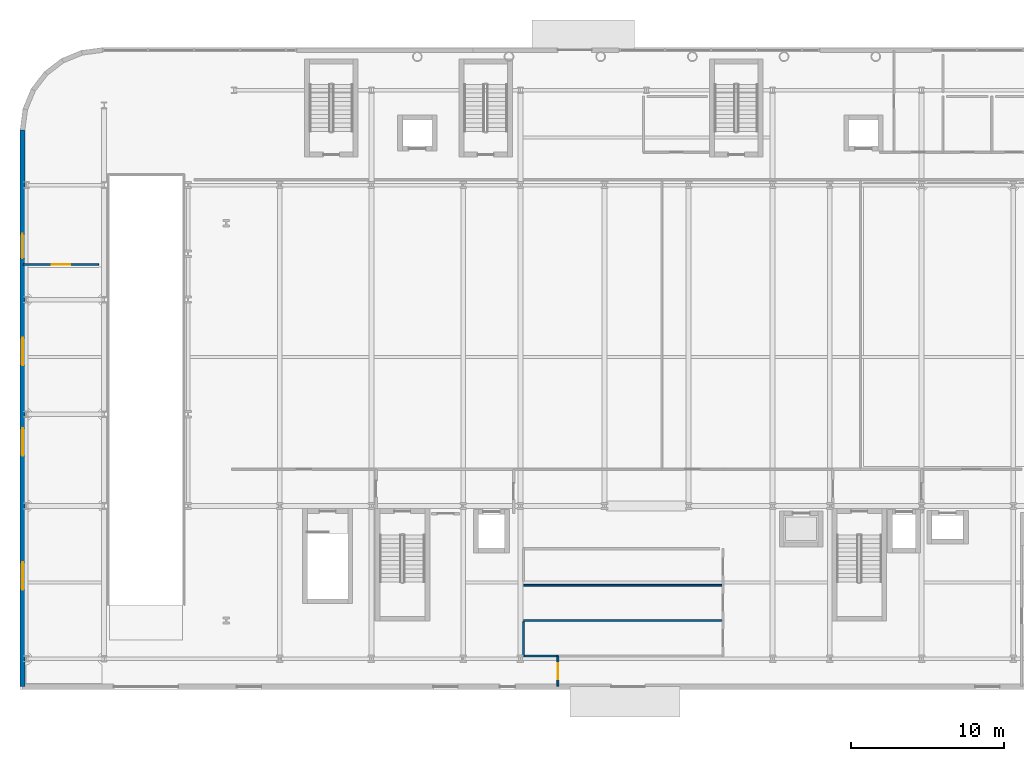
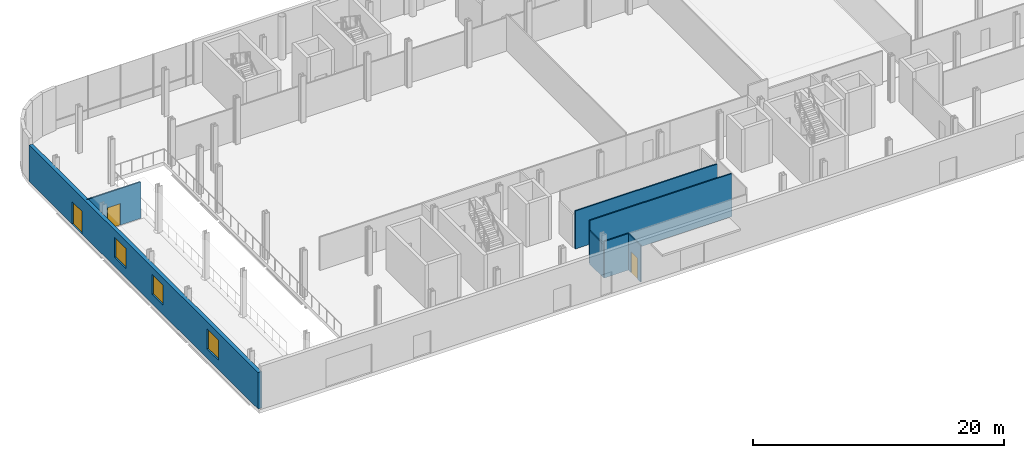
# One storey, part 17 of 28: 7 walls, 3 doors, 3 windows, 6 openings.
"""IFC4 building model written with IfcOpenShell, lengths in metres."""

from ifc_helpers import new_model, si_unit, direction, frame, frame_2d, origin, place, context, subcontext, project, spatial, rectangle, extrude, material, layer, layer_set, type_object, element, fill, save


model = new_model("IFC4")

# Units and contexts
model_context = context("Model", 3, precision=1e-05, world=origin(), true_north=direction((0.0, 1.0)))
body_context = subcontext(model_context, "Body", "Model", "MODEL_VIEW")
ifc_project = project(units=[si_unit("LENGTHUNIT", "METRE"), si_unit("AREAUNIT", "SQUARE_METRE"), si_unit("VOLUMEUNIT", "CUBIC_METRE"), si_unit("PLANEANGLEUNIT", "RADIAN"), si_unit("MASSUNIT", "GRAM", prefix="KILO")], contexts=[model_context])

# Site, building, storey
site_placement = place(None, origin())
site = spatial("IfcSite", under=ifc_project, at=site_placement, CompositionType="ELEMENT")
building_placement = place(site_placement, origin())
building = spatial("IfcBuilding", under=site, at=building_placement, Name="Brevholm Reach", CompositionType="ELEMENT")
storey_placement = place(building_placement, origin())
storey = spatial("IfcBuildingStorey", under=building, at=storey_placement, Name="L00", CompositionType="ELEMENT", Elevation=0.0)

# Wall, openings, door, windows
ifc_material_1 = material(Name="Concrete C40/50", Category="concrete")
ifc_layer_1 = layer(ifc_material_1, 0.340087890625)
ifc_layer_set_1 = layer_set([ifc_layer_1], Name="Concrete C40/50")
wall_type_1 = type_object("IfcWallType", Name="WAL-EXT-340", PredefinedType="STANDARD", material=ifc_layer_set_1)
wall_1_placement = place(storey_placement, frame((-10.830078125, -1.830078125, 0.0), z_axis=(0.0, 0.0, 1.0), x_axis=(0.0, 1.0, 0.0)))
wall_1 = element("IfcWall", 1, at=wall_1_placement, inside=storey, type_object=wall_type_1, Name="L00 Facade Wall WAL-L00-W", PredefinedType="STANDARD", context=body_context, shape_type="SweptSolid", body=[
    extrude(rectangle(XDim=36.43017578125, YDim=0.340087890625, at=frame_2d((18.215087890625, 0.0))), origin(), (0.0, 0.0, 1.0), 3.542724609375),
])
opening_1_placement = place(wall_1_placement, frame((28.030029296875, 0.0, 0.0)))
opening_1 = element("IfcOpeningElement", 2, at=opening_1_placement, cuts=wall_1, Name="Opening ED-03", PredefinedType="OPENING", context=body_context, shape_type="SweptSolid", body=[
    extrude(rectangle(XDim=1.60009765625, YDim=2.199951171875, at=frame_2d((0.800048828125, 1.10009765625))), frame((0.0, 0.179931640625, 0.0), z_axis=(0.0, -1.0, 0.0), x_axis=(1.0, 0.0, 0.0)), (0.0, 0.0, 1.0), 0.360107421875),
])
opening_2_placement = place(wall_1_placement, frame((6.330078125, 0.0, 0.89990234375)))
opening_2 = element("IfcOpeningElement", 3, at=opening_2_placement, cuts=wall_1, Name="Opening WN-01", PredefinedType="OPENING", context=body_context, shape_type="SweptSolid", body=[
    extrude(rectangle(XDim=1.800048828125, YDim=1.949951171875, at=frame_2d((0.89990234375, 0.97509765625))), frame((0.0, 0.179931640625, 0.0), z_axis=(0.0, -1.0, 0.0), x_axis=(1.0, 0.0, 0.0)), (0.0, 0.0, 1.0), 0.360107421875),
])
opening_3_placement = place(wall_1_placement, frame((15.10009765625, 0.0, 0.89990234375)))
opening_3 = element("IfcOpeningElement", 4, at=opening_3_placement, cuts=wall_1, Name="Opening WN-01", PredefinedType="OPENING", context=body_context, shape_type="SweptSolid", body=[
    extrude(rectangle(XDim=1.800048828125, YDim=1.949951171875, at=frame_2d((0.89990234375, 0.97509765625))), frame((0.0, 0.179931640625, 0.0), z_axis=(0.0, -1.0, 0.0), x_axis=(1.0, 0.0, 0.0)), (0.0, 0.0, 1.0), 0.360107421875),
])
opening_4_placement = place(wall_1_placement, frame((21.030029296875, 0.0, 0.89990234375)))
opening_4 = element("IfcOpeningElement", 5, at=opening_4_placement, cuts=wall_1, Name="Opening WN-01", PredefinedType="OPENING", context=body_context, shape_type="SweptSolid", body=[
    extrude(rectangle(XDim=1.800048828125, YDim=1.949951171875, at=frame_2d((0.89990234375, 0.97509765625))), frame((0.0, 0.179931640625, 0.0), z_axis=(0.0, -1.0, 0.0), x_axis=(1.0, 0.0, 0.0)), (0.0, 0.0, 1.0), 0.360107421875),
])
ifc_material_2 = material(Name="Marine Powder-Coated Galvanised Steel", Category="steel")
door_type_1 = type_object("IfcDoorType", Name="DOR-EXT-ESC", OperationType="NOTDEFINED", PredefinedType="DOOR", material=ifc_material_2)
door_1_placement = place(opening_1_placement, origin())
door_1 = element("IfcDoor", 6, at=door_1_placement, inside=storey, type_object=door_type_1, Name="L00 Exterior Door DOR-L00-EXIT-NW", OperationType="DOUBLE_DOOR_SINGLE_SWING", OverallHeight=2.199951171875, OverallWidth=1.60009765625, PredefinedType="DOOR", context=body_context, shape_type="SweptSolid", body=[
    extrude(rectangle(XDim=1.60009765625, YDim=2.199951171875, at=frame_2d((0.800048828125, 1.10009765625))), frame((0.0, 0.02490234375, 0.0), z_axis=(0.0, -1.0, 0.0), x_axis=(1.0, 0.0, 0.0)), (0.0, 0.0, 1.0), 0.050048828125),
])
fill(opening_1, door_1)
ifc_material_3 = material(Name="Dark Anodised Aluminium and Solar-Control IGU Glass", Category="aluminium")
window_type = type_object("IfcWindowType", Name="WIN-SCH-1800", PartitioningType="SINGLE_PANEL", PredefinedType="WINDOW", material=ifc_material_3)
window_1_placement = place(opening_2_placement, origin())
window_1 = element("IfcWindow", 7, at=window_1_placement, inside=storey, type_object=window_type, Name="L00 Window WIN-L00-W-1", OverallHeight=1.949951171875, OverallWidth=1.800048828125, PartitioningType="SINGLE_PANEL", PredefinedType="WINDOW", context=body_context, shape_type="SweptSolid", body=[
    extrude(rectangle(XDim=1.800048828125, YDim=1.949951171875, at=frame_2d((0.89990234375, 0.97509765625))), frame((0.0, 0.030029296875, 0.0), z_axis=(0.0, -1.0, 0.0), x_axis=(1.0, 0.0, 0.0)), (0.0, 0.0, 1.0), 0.06005859375),
])
fill(opening_2, window_1)
window_2_placement = place(opening_3_placement, origin())
window_2 = element("IfcWindow", 8, at=window_2_placement, inside=storey, type_object=window_type, Name="L00 Window WIN-L00-W-2", OverallHeight=1.949951171875, OverallWidth=1.800048828125, PartitioningType="SINGLE_PANEL", PredefinedType="WINDOW", context=body_context, shape_type="SweptSolid", body=[
    extrude(rectangle(XDim=1.800048828125, YDim=1.949951171875, at=frame_2d((0.89990234375, 0.97509765625))), frame((0.0, 0.030029296875, 0.0), z_axis=(0.0, -1.0, 0.0), x_axis=(1.0, 0.0, 0.0)), (0.0, 0.0, 1.0), 0.06005859375),
])
fill(opening_3, window_2)
window_3_placement = place(opening_4_placement, origin())
window_3 = element("IfcWindow", 9, at=window_3_placement, inside=storey, type_object=window_type, Name="L00 Window WIN-L00-W-3", OverallHeight=1.949951171875, OverallWidth=1.800048828125, PartitioningType="SINGLE_PANEL", PredefinedType="WINDOW", context=body_context, shape_type="SweptSolid", body=[
    extrude(rectangle(XDim=1.800048828125, YDim=1.949951171875, at=frame_2d((0.89990234375, 0.97509765625))), frame((0.0, 0.030029296875, 0.0), z_axis=(0.0, -1.0, 0.0), x_axis=(1.0, 0.0, 0.0)), (0.0, 0.0, 1.0), 0.06005859375),
])
fill(opening_4, window_3)

# Walls
ifc_material_4 = material(Name="Acoustic Fire-Rated Classroom Gypsum Partition 120 mm", Category="gypsum")
ifc_layer_2 = layer(ifc_material_4, 0.1201171875)
ifc_layer_set_2 = layer_set([ifc_layer_2], Name="Acoustic Fire-Rated Classroom Gypsum Partition 120 mm")
wall_type_2 = type_object("IfcWallType", Name="WAL-PRT-120", PredefinedType="PARTITIONING", material=ifc_layer_set_2)
wall_2_placement = place(storey_placement, frame((21.949951171875, 2.4970703125, 0.0), z_axis=(0.0, 0.0, 1.0), x_axis=(1.0, 0.0, 0.0)))
element("IfcWall", 10, at=wall_2_placement, inside=storey, type_object=wall_type_2, Name="L00 Internal Partition 004", PredefinedType="PARTITIONING", context=body_context, shape_type="SweptSolid", body=[
    extrude(rectangle(XDim=13.046142578125, YDim=0.1201171875, at=frame_2d((6.52294921875, 0.0))), origin(), (0.0, 0.0, 1.0), 4.179931640625),
])
wall_3_placement = place(storey_placement, frame((21.949951171875, 0.179931640625, 0.0), z_axis=(0.0, 0.0, 1.0), x_axis=(1.0, 0.0, 0.0)))
element("IfcWall", 11, at=wall_3_placement, inside=storey, type_object=wall_type_2, Name="L00 Internal Partition 005", PredefinedType="PARTITIONING", context=body_context, shape_type="SweptSolid", body=[
    extrude(rectangle(XDim=2.26123046875, YDim=0.1201171875, at=frame_2d((1.130615234375, 0.0))), origin(), (0.0, 0.0, 1.0), 3.542724609375),
])
wall_4_placement = place(storey_placement, frame((21.949951171875, 0.179931640625, 0.0), z_axis=(0.0, 0.0, 1.0), x_axis=(0.0, 1.0, 0.0)))
element("IfcWall", 12, at=wall_4_placement, inside=storey, type_object=wall_type_2, Name="L00 Internal Partition 006", PredefinedType="PARTITIONING", context=body_context, shape_type="SweptSolid", body=[
    extrude(rectangle(XDim=2.2314453125, YDim=0.1201171875, at=frame_2d((1.11572265625, 0.0))), origin(), (0.0, 0.0, 1.0), 3.228515625),
])
wall_5_placement = place(storey_placement, frame((21.949951171875, 4.81298828125, 0.0), z_axis=(0.0, 0.0, 1.0), x_axis=(1.0, 0.0, 0.0)))
element("IfcWall", 13, at=wall_5_placement, inside=storey, type_object=wall_type_2, Name="L00 Internal Partition 008", PredefinedType="PARTITIONING", context=body_context, shape_type="SweptSolid", body=[
    extrude(rectangle(XDim=13.046142578125, YDim=0.1201171875, at=frame_2d((6.52294921875, 0.0))), origin(), (0.0, 0.0, 1.0), 3.697998046875),
])

# Wall, opening, door
wall_6_placement = place(storey_placement, frame((24.199951171875, -1.800048828125, 0.0), z_axis=(0.0, 0.0, 1.0), x_axis=(0.0, 1.0, 0.0)))
wall_6 = element("IfcWall", 14, at=wall_6_placement, inside=storey, type_object=wall_type_2, Name="L00 Internal Partition 020", PredefinedType="PARTITIONING", context=body_context, shape_type="SweptSolid", body=[
    extrude(rectangle(XDim=1.97607421875, YDim=0.1201171875, at=frame_2d((0.988037109375, 0.0))), origin(), (0.0, 0.0, 1.0), 3.542724609375),
])
opening_5_placement = place(wall_6_placement, frame((0.462890625, 0.0, 0.0)))
opening_5 = element("IfcOpeningElement", 15, at=opening_5_placement, cuts=wall_6, Name="Opening FD-01", PredefinedType="OPENING", context=body_context, shape_type="SweptSolid", body=[
    extrude(rectangle(XDim=1.050048828125, YDim=2.06005859375, at=frame_2d((0.52490234375, 1.030029296875))), frame((0.0, 0.070068359375, 0.0), z_axis=(0.0, -1.0, 0.0), x_axis=(1.0, 0.0, 0.0)), (0.0, 0.0, 1.0), 0.14013671875),
])
ifc_material_5 = material(Name="Hardwood-Lipped Steel-Core Fire and Smoke Door", Category="steel")
door_type_2 = type_object("IfcDoorType", Name="DOR-INT-FD60S", OperationType="NOTDEFINED", PredefinedType="DOOR", material=ifc_material_5)
door_2_placement = place(opening_5_placement, origin())
door_2 = element("IfcDoor", 16, at=door_2_placement, inside=storey, type_object=door_type_2, Name="L00 Internal Door 012", OperationType="SINGLE_SWING_LEFT", OverallHeight=2.06005859375, OverallWidth=1.050048828125, PredefinedType="DOOR", context=body_context, shape_type="SweptSolid", body=[
    extrude(rectangle(XDim=1.050048828125, YDim=2.06005859375, at=frame_2d((0.52490234375, 1.030029296875))), frame((0.0, 0.02490234375, 0.0), z_axis=(0.0, -1.0, 0.0), x_axis=(1.0, 0.0, 0.0)), (0.0, 0.0, 1.0), 0.050048828125),
])
fill(opening_5, door_2)

wall_7_placement = place(storey_placement, frame((-10.800048828125, 25.800048828125, 0.0), z_axis=(0.0, 0.0, 1.0), x_axis=(1.0, 0.0, 0.0)))
wall_7 = element("IfcWall", 17, at=wall_7_placement, inside=storey, type_object=wall_type_2, Name="L00 Internal Partition 031", PredefinedType="PARTITIONING", context=body_context, shape_type="SweptSolid", body=[
    extrude(rectangle(XDim=4.949951171875, YDim=0.1201171875, at=frame_2d((2.47509765625, 0.0))), origin(), (0.0, 0.0, 1.0), 3.542724609375),
])
opening_6_placement = place(wall_7_placement, frame((1.875, 0.0, 0.0)))
opening_6 = element("IfcOpeningElement", 18, at=opening_6_placement, cuts=wall_7, Name="Opening ID-SC", PredefinedType="OPENING", context=body_context, shape_type="SweptSolid", body=[
    extrude(rectangle(XDim=1.199951171875, YDim=2.080078125, at=frame_2d((0.60009765625, 1.0400390625))), frame((0.0, 0.070068359375, 0.0), z_axis=(0.0, -1.0, 0.0), x_axis=(1.0, 0.0, 0.0)), (0.0, 0.0, 1.0), 0.14013671875),
])
ifc_material_6 = material(Name="Acoustic European Oak Classroom Vision-Panel Fire Door", Category="timber")
door_type_3 = type_object("IfcDoorType", Name="DOR-SCH-1200", OperationType="NOTDEFINED", PredefinedType="DOOR", material=ifc_material_6)
door_3_placement = place(opening_6_placement, origin())
door_3 = element("IfcDoor", 19, at=door_3_placement, inside=storey, type_object=door_type_3, Name="L00 Internal Door 018", OperationType="SINGLE_SWING_LEFT", OverallHeight=2.080078125, OverallWidth=1.199951171875, PredefinedType="DOOR", context=body_context, shape_type="SweptSolid", body=[
    extrude(rectangle(XDim=1.199951171875, YDim=2.080078125, at=frame_2d((0.60009765625, 1.0400390625))), frame((0.0, 0.02490234375, 0.0), z_axis=(0.0, -1.0, 0.0), x_axis=(1.0, 0.0, 0.0)), (0.0, 0.0, 1.0), 0.050048828125),
])
fill(opening_6, door_3)

save(model, "model.ifc")
